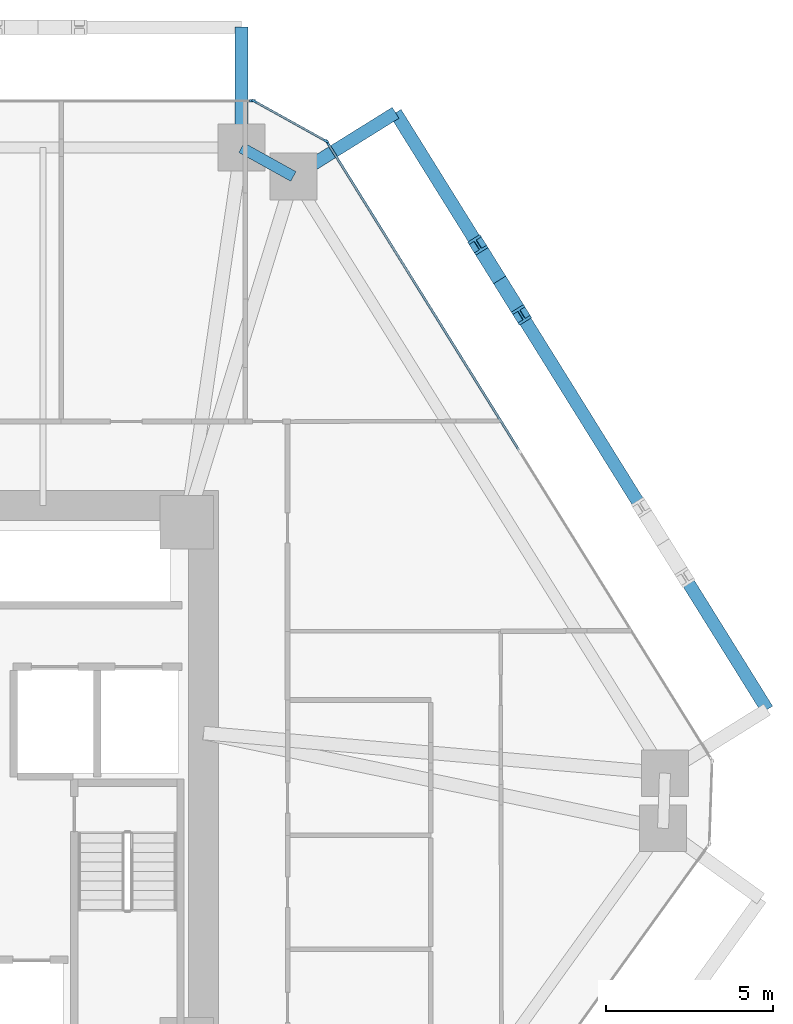
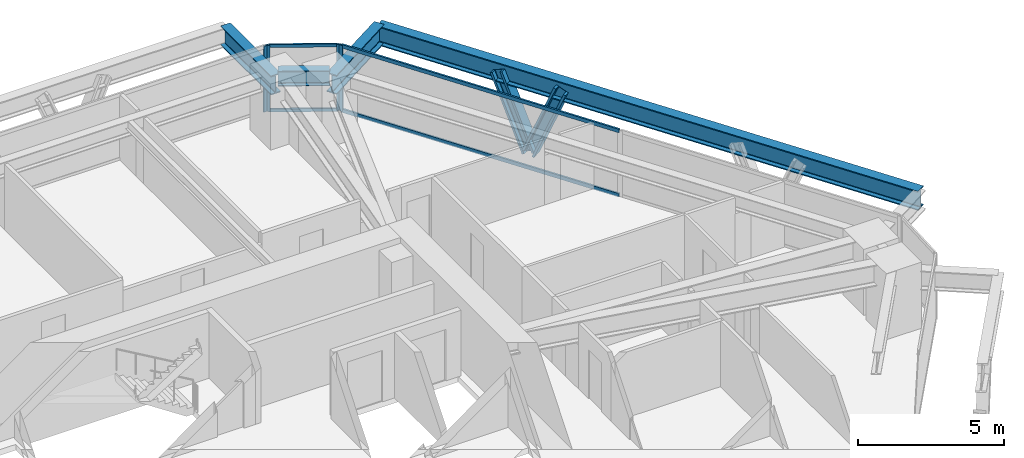
# One storey, part 9 of 15: 10 members, 4 beams, 3 elements without a shape of their own.
"""IFC4 building model written with IfcOpenShell, lengths in metres."""

from ifc_helpers import new_model, si_unit, direction, frame, origin, origin_2d, place, context, subcontext, project, spatial, rectangle, i_section, extrude, source, transform, mapped, material, layer, layer_set, material_profile, profile_set, type_object, type_shapes, element, aggregate, save


model = new_model("IFC4")

# Units and contexts
model_context = context("Model", 3, precision=1e-05, world=origin(), true_north=direction((0.0, 1.0)))
body_context = subcontext(model_context, "Body", "Model", "MODEL_VIEW")
ifc_project = project(units=[si_unit("LENGTHUNIT", "METRE"), si_unit("AREAUNIT", "SQUARE_METRE"), si_unit("VOLUMEUNIT", "CUBIC_METRE"), si_unit("PLANEANGLEUNIT", "RADIAN"), si_unit("MASSUNIT", "GRAM", prefix="KILO")], contexts=[model_context])

# Site, building, storey
site_placement = place(None, origin())
site = spatial("IfcSite", under=ifc_project, at=site_placement, CompositionType="ELEMENT")
building_placement = place(site_placement, origin())
building = spatial("IfcBuilding", under=site, at=building_placement, Name="Durnholm Broadcast Tower", CompositionType="ELEMENT")
storey_placement = place(building_placement, frame((0.0, 0.0, 75.300048828125)))
storey = spatial("IfcBuildingStorey", under=building, at=storey_placement, Name="L19", CompositionType="ELEMENT", Elevation=75.300048828125)

# Beams
ifc_material_1 = material(Name="Steel ASTM A992 Grade 50", Category="steel")
ifc_material_profile_1 = material_profile(ifc_material_1, i_section(OverallWidth=0.3291015625, OverallDepth=0.635009765625, WebThickness=0.017822265625, FlangeThickness=0.031005859375, FilletRadius=0.02783203125, at=origin_2d()), Name="W24X162")
ifc_profile_set_1 = profile_set([ifc_material_profile_1], Name="Steel ASTM A992 Grade 50")
beam_type_1 = type_object("IfcBeamType", Name="STL-SP-W24X162", PredefinedType="SPANDREL", material=ifc_profile_set_1)
shared_shape_1 = source(origin(), body_context, "Body", "SweptSolid", [
    extrude(i_section(OverallWidth=0.3291015625, OverallDepth=0.635009765625, WebThickness=0.017822265625, FlangeThickness=0.031005859375, FilletRadius=0.02783203125, at=origin_2d()), origin(), (0.0, 0.0, 1.0), 1.774658203125),
])
type_shapes(beam_type_1, [shared_shape_1])
beam_1_placement = place(storey_placement, frame((11.43115234375, 19.0, 2.427490234375), z_axis=(0.874248107979, -0.485479397806, 0.0), x_axis=(0.485479397806, 0.874248107979, 0.0)))
element("IfcBeam", 1, at=beam_1_placement, inside=storey, type_object=beam_type_1, Name="L19 perimeter spandrel girder 06", PredefinedType="SPANDREL", context=body_context, shape_type="MappedRepresentation", body=[
    mapped(shared_shape_1, transform((0.0, 0.0, 0.0), x_axis=(1.0, 0.0, 0.0), y_axis=(0.0, 1.0, 0.0), z_axis=(0.0, 0.0, 1.0), scale=1.0)),
])
ifc_material_profile_2 = material_profile(ifc_material_1, i_section(OverallWidth=0.385009765625, OverallDepth=0.802978515625, WebThickness=0.023681640625, FlangeThickness=0.0419921875, FilletRadius=0.032958984375, at=origin_2d()), Name="W30X261")
ifc_profile_set_2 = profile_set([ifc_material_profile_2], Name="Steel ASTM A992 Grade 50")
beam_type_2 = type_object("IfcBeamType", Name="BM-EXO-TIE", PredefinedType="USERDEFINED", material=ifc_profile_set_2)
shared_shape_2 = source(origin(), body_context, "Body", "SweptSolid", [
    extrude(i_section(OverallWidth=0.385009765625, OverallDepth=0.802978515625, WebThickness=0.023681640625, FlangeThickness=0.0419921875, FilletRadius=0.032958984375, at=origin_2d()), origin(), (0.0, 0.0, 1.0), 3.4560546875),
])
for number, where, z_axis, x_axis, name in (
    (2, (13.10498046875, 18.214599609375, 2.008544921875), (0.848854443891, 0.528626648105, 0.0), (-0.528626648105, 0.848854443891, 0.0), "L19 exoskeleton stand-off tie bracket F3.2"),
    (3, (11.43115234375, 19.14404296875, 2.008544921875), (0.0, 1.0, 0.0), (-1.0, 0.0, 0.0), "L19 exoskeleton stand-off tie bracket F4.1"),
):
    element("IfcBeam", number, at=place(storey_placement, frame(where, z_axis=z_axis, x_axis=x_axis)), inside=storey, type_object=beam_type_2, Name=name, ObjectType="GIRDER", PredefinedType="USERDEFINED", context=body_context, shape_type="MappedRepresentation", body=[
        mapped(shared_shape_2, transform((0.0, 0.0, 0.0), x_axis=(1.0, 0.0, 0.0), y_axis=(0.0, 1.0, 0.0), z_axis=(0.0, 0.0, 1.0), scale=1.0)),
    ])
shared_shape_3 = source(origin(), body_context, "Body", "SweptSolid", [
    extrude(i_section(OverallWidth=0.385009765625, OverallDepth=0.802978515625, WebThickness=0.023681640625, FlangeThickness=0.0419921875, FilletRadius=0.032958984375, at=origin_2d()), origin(), (0.0, 0.0, 1.0), 21.0146484375),
])
type_shapes(beam_type_2, [shared_shape_2, shared_shape_3])
beam_2_placement = place(storey_placement, frame((27.146728515625, 2.20263671875, 2.008544921875), z_axis=(-0.528590518575, 0.848876942597, 0.0), x_axis=(-0.848876942597, -0.528590518575, 0.0)))
element("IfcBeam", 4, at=beam_2_placement, inside=storey, type_object=beam_type_2, Name="L19 exoskeleton collector spandrel F3", PredefinedType="SPANDREL", context=body_context, shape_type="MappedRepresentation", body=[
    mapped(shared_shape_3, transform((0.0, 0.0, 0.0), x_axis=(1.0, 0.0, 0.0), y_axis=(0.0, 1.0, 0.0), z_axis=(0.0, 0.0, 1.0), scale=1.0)),
])

# Members
ifc_material_2 = material(Name="Steel ASTM A913 Grade 65", Category="steel")
ifc_material_profile_3 = material_profile(ifc_material_2, i_section(OverallWidth=0.43212890625, OverallDepth=0.497802734375, WebThickness=0.0556640625, FlangeThickness=0.0888671875, FilletRadius=0.030517578125, at=origin_2d()), Name="W14X500")
ifc_profile_set_3 = profile_set([ifc_material_profile_3], Name="Steel ASTM A913 Grade 65")
member_type_1 = type_object("IfcMemberType", Name="STL-DG-W14X500", PredefinedType="BRACE", material=ifc_profile_set_3)
shared_shape_4 = source(origin(), body_context, "Body", "SweptSolid", [
    extrude(i_section(OverallWidth=0.43212890625, OverallDepth=0.497802734375, WebThickness=0.0556640625, FlangeThickness=0.0888671875, FilletRadius=0.030517578125, at=origin_2d()), origin(), (0.0, 0.0, 1.0), 3.243896484375),
])
type_shapes(member_type_1, [shared_shape_4])
for number, where, z_axis, x_axis, name in (
    (5, (19.14892578125, 15.04638671875, -0.991455078125), (0.201029867597, -0.322882116058, 0.9248427604), (0.848908635391, 0.528539618911, 0.0), "L19 stand-off diagrid brace F3.D2.1"),
    (6, (19.14892578125, 15.04638671875, -0.991455078125), (-0.201029867597, 0.322882116058, 0.9248427604), (-0.848908635391, -0.528539618911, 0.0), "L19 stand-off diagrid brace F3.D2.2"),
):
    element("IfcMember", number, at=place(storey_placement, frame(where, z_axis=z_axis, x_axis=x_axis)), inside=storey, type_object=member_type_1, Name=name, PredefinedType="BRACE", context=body_context, shape_type="MappedRepresentation", body=[
        mapped(shared_shape_4, transform((0.0, 0.0, 0.0), x_axis=(1.0, 0.0, 0.0), y_axis=(0.0, 1.0, 0.0), z_axis=(0.0, 0.0, 1.0), scale=1.0)),
    ])

# Curtain wall, members
ifc_material_3 = material(Name="Aluminium and Solar Control IGU", Category="aluminium")
ifc_layer_1 = layer(ifc_material_3, 0.1650390625)
ifc_layer_set_1 = layer_set([ifc_layer_1], Name="Aluminium and Solar Control IGU")
curtain_wall_type_1 = type_object("IfcCurtainWallType", Name="CW-SYS-5", PredefinedType="NOTDEFINED", material=ifc_layer_set_1)
curtain_wall_1_placement = place(storey_placement, origin())
curtain_wall_1 = element("IfcCurtainWall", 7, at=curtain_wall_1_placement, inside=storey, type_object=curtain_wall_type_1, Name="L19 curtain wall CW-CORNER CW-L19-CRN-05", PredefinedType="NOTDEFINED")
ifc_material_4 = material(Name="Aluminium 6063-T6", Category="aluminium")
ifc_material_profile_4 = material_profile(ifc_material_4, rectangle(XDim=0.06494140625, YDim=0.1298828125, at=origin_2d()), Name="CWT65X130")
ifc_profile_set_4 = profile_set([ifc_material_profile_4], Name="Aluminium 6063-T6")
member_type_2 = type_object("IfcMemberType", Name="CW-SYS-5-TRN", PredefinedType="USERDEFINED", material=ifc_profile_set_4)
shared_shape_5 = source(origin(), body_context, "Body", "SweptSolid", [
    extrude(rectangle(XDim=0.06494140625, YDim=0.1298828125, at=origin_2d()), origin(), (0.0, 0.0, 1.0), 2.3701171875),
])
type_shapes(member_type_2, [shared_shape_5])
member_1_placement = place(storey_placement, frame((11.8505859375, 20.368408203125, 0.032470703125), z_axis=(0.874244723151, -0.485485493132, 0.0), x_axis=(0.485485493132, 0.874244723151, 0.0)))
member_1 = element("IfcMember", 8, at=member_1_placement, type_object=member_type_2, Name="CW-CORNER transom 1.1", ObjectType="TRANSOM", PredefinedType="USERDEFINED", context=body_context, shape_type="MappedRepresentation", body=[
    mapped(shared_shape_5, transform((0.0, 0.0, 0.0), x_axis=(1.0, 0.0, 0.0), y_axis=(0.0, 1.0, 0.0), z_axis=(0.0, 0.0, 1.0), scale=1.0)),
])
member_2_placement = place(storey_placement, frame((11.8505859375, 20.368408203125, 2.7275390625), z_axis=(0.874244723151, -0.485485493132, 0.0), x_axis=(0.485485493132, 0.874244723151, 0.0)))
member_2 = element("IfcMember", 9, at=member_2_placement, type_object=member_type_2, Name="CW-CORNER transom 1.2", ObjectType="TRANSOM", PredefinedType="USERDEFINED", context=body_context, shape_type="MappedRepresentation", body=[
    mapped(shared_shape_5, transform((0.0, 0.0, 0.0), x_axis=(1.0, 0.0, 0.0), y_axis=(0.0, 1.0, 0.0), z_axis=(0.0, 0.0, 1.0), scale=1.0)),
])

ifc_layer_2 = layer(ifc_material_3, 0.18994140625)
ifc_layer_set_2 = layer_set([ifc_layer_2], Name="Aluminium and Solar Control IGU")
curtain_wall_type_2 = type_object("IfcCurtainWallType", Name="CW-SYS-3", PredefinedType="NOTDEFINED", material=ifc_layer_set_2)
curtain_wall_2_placement = place(storey_placement, origin())
curtain_wall_2 = element("IfcCurtainWall", 10, at=curtain_wall_2_placement, inside=storey, type_object=curtain_wall_type_2, Name="L19 curtain wall CW-Z12-VIS CW-L19-F06", PredefinedType="NOTDEFINED")
ifc_material_profile_5 = material_profile(ifc_material_4, rectangle(XDim=0.070068359375, YDim=0.14990234375, at=origin_2d()), Name="CWT70X150")
ifc_profile_set_5 = profile_set([ifc_material_profile_5], Name="Aluminium 6063-T6")
member_type_3 = type_object("IfcMemberType", Name="CW-SYS-3-TRN", PredefinedType="USERDEFINED", material=ifc_profile_set_5)
shared_shape_6 = source(origin(), body_context, "Body", "SweptSolid", [
    extrude(rectangle(XDim=0.070068359375, YDim=0.14990234375, at=origin_2d()), origin(), (0.0, 0.0, 1.0), 10.796630859375),
])
type_shapes(member_type_3, [shared_shape_6])
member_3_placement = place(storey_placement, frame((14.016357421875, 19.126953125, 0.034912109375), z_axis=(0.528591657678, -0.848876233283, 0.0), x_axis=(0.848876233283, 0.528591657678, 0.0)))
member_3 = element("IfcMember", 11, at=member_3_placement, type_object=member_type_3, Name="CW-Z12-VIS transom 1.1", ObjectType="TRANSOM", PredefinedType="USERDEFINED", context=body_context, shape_type="MappedRepresentation", body=[
    mapped(shared_shape_6, transform((0.0, 0.0, 0.0), x_axis=(1.0, 0.0, 0.0), y_axis=(0.0, 1.0, 0.0), z_axis=(0.0, 0.0, 1.0), scale=1.0)),
])
member_4_placement = place(storey_placement, frame((14.016357421875, 19.126953125, 2.724853515625), z_axis=(0.528591657678, -0.848876233283, 0.0), x_axis=(0.848876233283, 0.528591657678, 0.0)))
member_4 = element("IfcMember", 12, at=member_4_placement, type_object=member_type_3, Name="CW-Z12-VIS transom 1.2", ObjectType="TRANSOM", PredefinedType="USERDEFINED", context=body_context, shape_type="MappedRepresentation", body=[
    mapped(shared_shape_6, transform((0.0, 0.0, 0.0), x_axis=(1.0, 0.0, 0.0), y_axis=(0.0, 1.0, 0.0), z_axis=(0.0, 0.0, 1.0), scale=1.0)),
])

# Member
ifc_material_profile_6 = material_profile(ifc_material_4, rectangle(XDim=0.06494140625, YDim=0.1650390625, at=origin_2d()), Name="CWM65X165")
ifc_profile_set_6 = profile_set([ifc_material_profile_6], Name="Aluminium 6063-T6")
member_type_4 = type_object("IfcMemberType", Name="CW-SYS-5-MUL", PredefinedType="MULLION", material=ifc_profile_set_6)
shared_shape_7 = source(origin(), body_context, "Body", "SweptSolid", [
    extrude(rectangle(XDim=0.06494140625, YDim=0.1650390625, at=origin_2d()), origin(), (0.0, 0.0, 1.0), 2.760009765625),
])
type_shapes(member_type_4, [shared_shape_7])
member_5_placement = place(storey_placement, frame((11.822265625, 20.38427734375, 0.0), z_axis=(0.0, 0.0, 1.0), x_axis=(0.485483299359, 0.874245941394, 0.0)))
member_5 = element("IfcMember", 13, at=member_5_placement, type_object=member_type_4, Name="CW-CORNER mullion 1", PredefinedType="MULLION", context=body_context, shape_type="MappedRepresentation", body=[
    mapped(shared_shape_7, transform((0.0, 0.0, 0.0), x_axis=(1.0, 0.0, 0.0), y_axis=(0.0, 1.0, 0.0), z_axis=(0.0, 0.0, 1.0), scale=1.0)),
])

member_6_placement = place(storey_placement, frame((13.950927734375, 19.2021484375, 0.0), z_axis=(0.0, 0.0, 1.0), x_axis=(0.485483299359, 0.874245941394, 0.0)))
member_6 = element("IfcMember", 14, at=member_6_placement, type_object=member_type_4, Name="CW-CORNER mullion 2", PredefinedType="MULLION", context=body_context, shape_type="MappedRepresentation", body=[
    mapped(shared_shape_7, transform((0.0, 0.0, 0.0), x_axis=(1.0, 0.0, 0.0), y_axis=(0.0, 1.0, 0.0), z_axis=(0.0, 0.0, 1.0), scale=1.0)),
])

aggregate(curtain_wall_1, [member_5, member_6, member_1, member_2])

# Curtain wall, member
curtain_wall_3_placement = place(storey_placement, origin())
curtain_wall_3 = element("IfcCurtainWall", 15, at=curtain_wall_3_placement, inside=storey, type_object=curtain_wall_type_2, Name="L19 curtain wall CW-Z12-VIS CW-L19-F04", PredefinedType="NOTDEFINED")
ifc_material_profile_7 = material_profile(ifc_material_4, rectangle(XDim=0.070068359375, YDim=0.18994140625, at=origin_2d()), Name="CWM70X190")
ifc_profile_set_7 = profile_set([ifc_material_profile_7], Name="Aluminium 6063-T6")
member_type_5 = type_object("IfcMemberType", Name="CW-SYS-3-MUL", PredefinedType="MULLION", material=ifc_profile_set_7)
shared_shape_8 = source(origin(), body_context, "Body", "SweptSolid", [
    extrude(rectangle(XDim=0.070068359375, YDim=0.18994140625, at=origin_2d()), origin(), (0.0, 0.0, 1.0), 2.760009765625),
])
type_shapes(member_type_5, [shared_shape_8])
member_7_placement = place(storey_placement, frame((11.7587890625, 20.39990234375, 0.0), z_axis=(0.0, 0.0, 1.0), x_axis=(0.0, 1.0, 0.0)))
member_7 = element("IfcMember", 16, at=member_7_placement, type_object=member_type_5, Name="CW-Z12-VIS mullion 3", PredefinedType="MULLION", context=body_context, shape_type="MappedRepresentation", body=[
    mapped(shared_shape_8, transform((0.0, 0.0, 0.0), x_axis=(1.0, 0.0, 0.0), y_axis=(0.0, 1.0, 0.0), z_axis=(0.0, 0.0, 1.0), scale=1.0)),
])
aggregate(curtain_wall_3, [member_7])

# Member
member_8_placement = place(storey_placement, frame((13.997802734375, 19.156494140625, 0.0), z_axis=(0.0, 0.0, 1.0), x_axis=(0.848875785503, 0.528592376777, 0.0)))
member_8 = element("IfcMember", 17, at=member_8_placement, type_object=member_type_5, Name="CW-Z12-VIS mullion 1", PredefinedType="MULLION", context=body_context, shape_type="MappedRepresentation", body=[
    mapped(shared_shape_8, transform((0.0, 0.0, 0.0), x_axis=(1.0, 0.0, 0.0), y_axis=(0.0, 1.0, 0.0), z_axis=(0.0, 0.0, 1.0), scale=1.0)),
])

aggregate(curtain_wall_2, [member_8, member_3, member_4])

save(model, "model.ifc")
